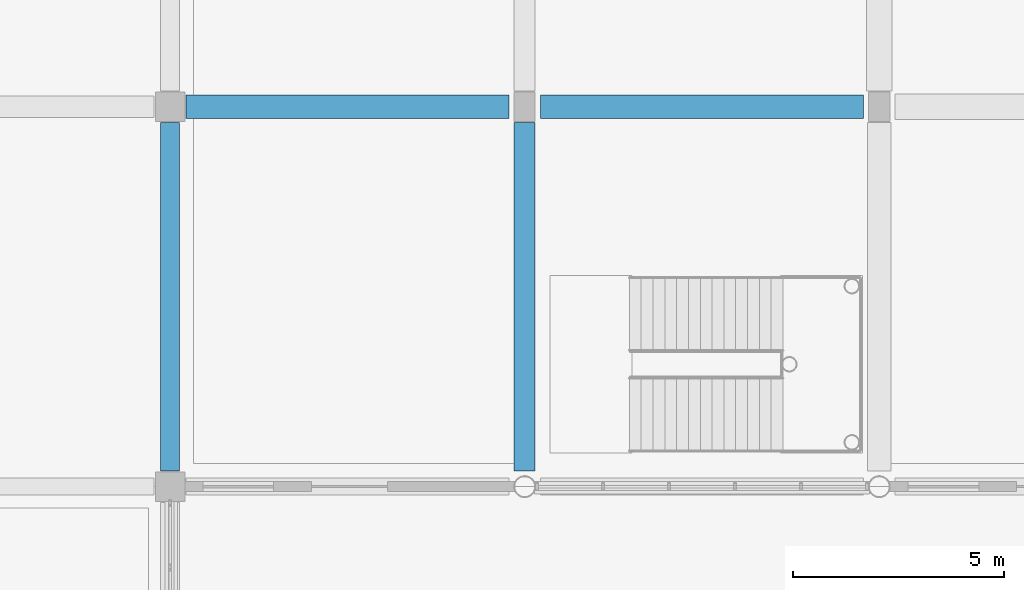
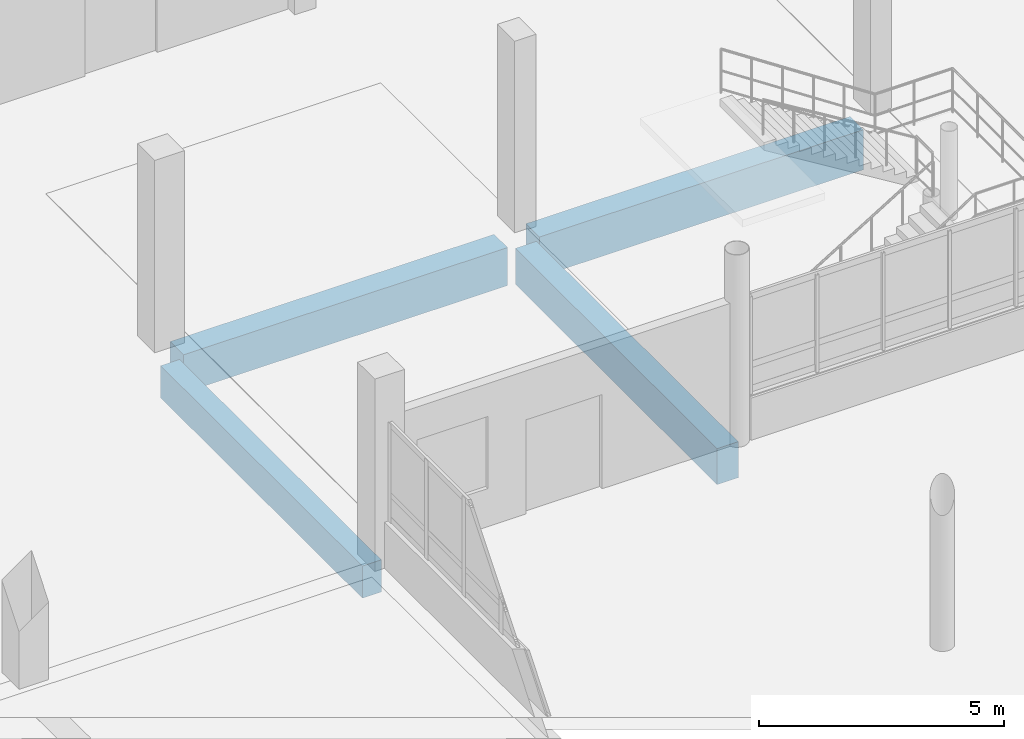
# One storey, part 48 of 95: 4 beams.
"""IFC4 building model written with IfcOpenShell, lengths in metres."""

from ifc_helpers import new_model, si_unit, direction, frame, origin, origin_2d, place, context, subcontext, project, spatial, rectangle, extrude, material, material_profile, profile_set, type_object, element, save


model = new_model("IFC4")

# Units and contexts
model_context = context("Model", 3, precision=1e-05, world=origin(), true_north=direction((0.0, 1.0)))
body_context = subcontext(model_context, "Body", "Model", "MODEL_VIEW")
ifc_project = project(units=[si_unit("LENGTHUNIT", "METRE"), si_unit("AREAUNIT", "SQUARE_METRE"), si_unit("VOLUMEUNIT", "CUBIC_METRE"), si_unit("PLANEANGLEUNIT", "RADIAN"), si_unit("MASSUNIT", "GRAM", prefix="KILO")], contexts=[model_context])

# Site, building, storey
site_placement = place(None, origin())
site = spatial("IfcSite", under=ifc_project, at=site_placement, CompositionType="ELEMENT")
building_placement = place(site_placement, origin())
building = spatial("IfcBuilding", under=site, at=building_placement, Name="Vireocrest Preparatory School", CompositionType="ELEMENT")
storey_placement = place(building_placement, origin())
storey = spatial("IfcBuildingStorey", under=building, at=storey_placement, Name="L00", CompositionType="ELEMENT", Elevation=0.0)

# Beams
ifc_material = material(Name="Concrete 40 MPa", Category="concrete")
ifc_material_profile_1 = material_profile(ifc_material, rectangle(XDim=0.550048828125, YDim=1.0, at=origin_2d()), Name="RC 550x1000")
ifc_profile_set_1 = profile_set([ifc_material_profile_1], Name="Concrete 40 MPa")
beam_type_1 = type_object("IfcBeamType", Name="RC Core Coupling Beam 550x1000", PredefinedType="BEAM", material=ifc_profile_set_1)
beam_1_placement = place(storey_placement, frame((75.97509765625, 94.800048828125, -0.85009765625), z_axis=(1.0, 0.0, 0.0), x_axis=(0.0, 1.0, 0.0)))
element("IfcBeam", 1, at=beam_1_placement, inside=storey, type_object=beam_type_1, Name="Primary Girder B18 L00-0106", PredefinedType="BEAM", context=body_context, shape_type="SweptSolid", body=[
    extrude(rectangle(XDim=0.550048828125, YDim=1.0, at=origin_2d()), origin(), (0.0, 0.0, 1.0), 7.64990234375),
])
ifc_material_profile_2 = material_profile(ifc_material, rectangle(XDim=0.449951171875, YDim=0.800048828125, at=origin_2d()), Name="RC 450x800")
ifc_profile_set_2 = profile_set([ifc_material_profile_2], Name="Concrete 40 MPa")
beam_type_2 = type_object("IfcBeamType", Name="RC Library Stack Girder 450x800", PredefinedType="BEAM", material=ifc_profile_set_2)
beam_2_placement = place(storey_placement, frame((67.199951171875, 86.175048828125, -0.75), z_axis=(0.0, 1.0, 0.0), x_axis=(-1.0, 0.0, 0.0)))
element("IfcBeam", 2, at=beam_2_placement, inside=storey, type_object=beam_type_2, Name="Primary Girder B12 L00-0185", PredefinedType="BEAM", context=body_context, shape_type="SweptSolid", body=[
    extrude(rectangle(XDim=0.449951171875, YDim=0.800048828125, at=origin_2d()), origin(), (0.0, 0.0, 1.0), 8.25),
])
ifc_material_profile_3 = material_profile(ifc_material, rectangle(XDim=0.5, YDim=0.89990234375, at=origin_2d()), Name="RC 500x900")
ifc_profile_set_3 = profile_set([ifc_material_profile_3], Name="Concrete 40 MPa")
beam_type_3 = type_object("IfcBeamType", Name="RC Podium Girder 500x900", PredefinedType="BEAM", material=ifc_profile_set_3)
beam_3_placement = place(storey_placement, frame((75.60009765625, 86.175048828125, -0.800048828125), z_axis=(0.0, 1.0, 0.0), x_axis=(-1.0, 0.0, 0.0)))
element("IfcBeam", 3, at=beam_3_placement, inside=storey, type_object=beam_type_3, Name="Primary Girder B15 L00-0188", PredefinedType="BEAM", context=body_context, shape_type="SweptSolid", body=[
    extrude(rectangle(XDim=0.5, YDim=0.89990234375, at=origin_2d()), origin(), (0.0, 0.0, 1.0), 8.25),
])
ifc_material_profile_4 = material_profile(ifc_material, rectangle(XDim=0.550048828125, YDim=0.949951171875, at=origin_2d()), Name="RC 550x950")
ifc_profile_set_4 = profile_set([ifc_material_profile_4], Name="Concrete 40 MPa")
beam_type_4 = type_object("IfcBeamType", Name="RC Setback Edge Girder 550x950", PredefinedType="BEAM", material=ifc_profile_set_4)
beam_4_placement = place(storey_placement, frame((67.574951171875, 94.800048828125, -0.824951171875), z_axis=(1.0, 0.0, 0.0), x_axis=(0.0, 1.0, 0.0)))
element("IfcBeam", 4, at=beam_4_placement, inside=storey, type_object=beam_type_4, Name="Primary Girder B17 L00-0105", PredefinedType="BEAM", context=body_context, shape_type="SweptSolid", body=[
    extrude(rectangle(XDim=0.550048828125, YDim=0.949951171875, at=origin_2d()), origin(), (0.0, 0.0, 1.0), 7.650146484375),
])

save(model, "model.ifc")
